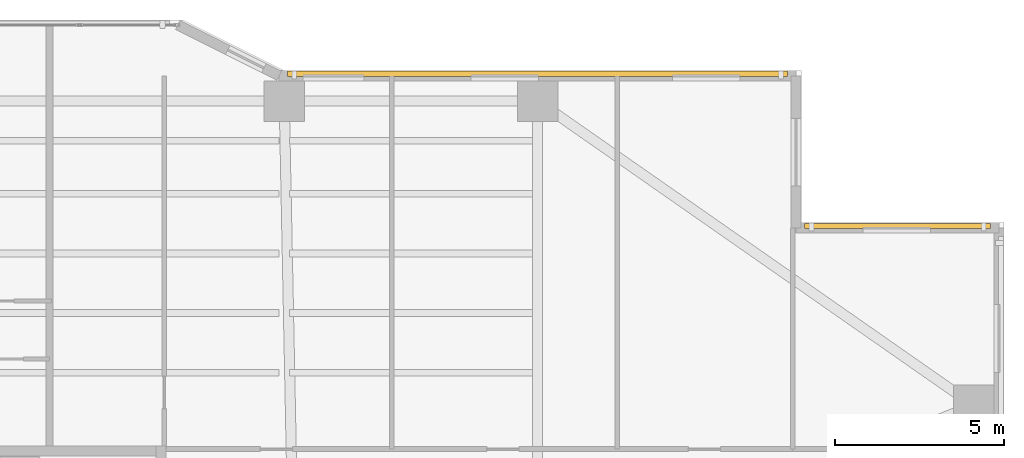
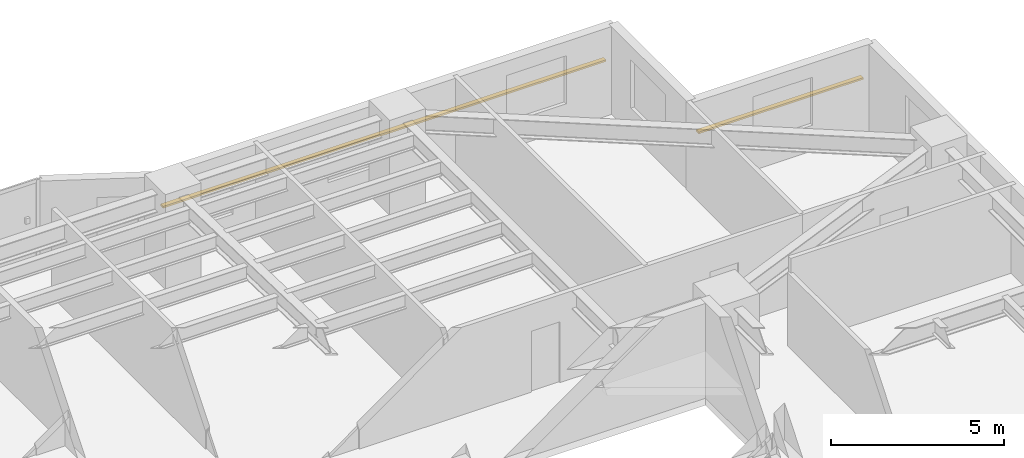
# One storey, part 21 of 21: 2 shading devices.
"""IFC4 building model written with IfcOpenShell, lengths in metres."""

from ifc_helpers import new_model, si_unit, direction, frame, origin, origin_2d, place, context, subcontext, project, spatial, rectangle, extrude, material, material_profile, profile_set, type_object, element, save


model = new_model("IFC4")

# Units and contexts
model_context = context("Model", 3, precision=1e-05, world=origin(), true_north=direction((0.0, 1.0)))
body_context = subcontext(model_context, "Body", "Model", "MODEL_VIEW")
ifc_project = project(units=[si_unit("LENGTHUNIT", "METRE"), si_unit("AREAUNIT", "SQUARE_METRE"), si_unit("VOLUMEUNIT", "CUBIC_METRE"), si_unit("PLANEANGLEUNIT", "RADIAN"), si_unit("MASSUNIT", "GRAM", prefix="KILO")], contexts=[model_context])

# Site, building, storey
site_placement = place(None, origin())
site = spatial("IfcSite", under=ifc_project, at=site_placement, CompositionType="ELEMENT")
building_placement = place(site_placement, origin())
building = spatial("IfcBuilding", under=site, at=building_placement, Name="Tarnavaz Court Tower", CompositionType="ELEMENT")
storey_placement = place(building_placement, frame((0.0, 0.0, 40.75)))
storey = spatial("IfcBuildingStorey", under=building, at=storey_placement, Name="L10", CompositionType="ELEMENT", Elevation=40.75)

# Shading devices
ifc_material = material(Name="Kiln-Fired Khorasan Terracotta Ceramic", Category="masonry")
ifc_material_profile = material_profile(ifc_material, rectangle(XDim=0.14990234375, YDim=0.06494140625, at=origin_2d()), Name="TC BAGUETTE 150X65")
ifc_profile_set = profile_set([ifc_material_profile], Name="Kiln-Fired Khorasan Terracotta Ceramic")
shading_device_type = type_object("IfcShadingDeviceType", Name="SD-BAG-150", PredefinedType="USERDEFINED", material=ifc_profile_set)
shading_device_1_placement = place(storey_placement, frame((7.60009765625, 23.610107421875, 1.85009765625), z_axis=(1.0, 0.0, 0.0), x_axis=(0.0, 1.0, 0.0)))
element("IfcShadingDevice", 1, at=shading_device_1_placement, inside=storey, type_object=shading_device_type, Name="L10 Terracotta Baguette Screen FBG09", ObjectType="BAGUETTE", PredefinedType="USERDEFINED", context=body_context, shape_type="SweptSolid", body=[
    extrude(rectangle(XDim=0.14990234375, YDim=0.06494140625, at=origin_2d()), origin(), (0.0, 0.0, 1.0), 14.7998046875),
])
shading_device_2_placement = place(storey_placement, frame((22.89990234375, 19.110107421875, 1.85009765625), z_axis=(1.0, 0.0, 0.0), x_axis=(0.0, 1.0, 0.0)))
element("IfcShadingDevice", 2, at=shading_device_2_placement, inside=storey, type_object=shading_device_type, Name="L10 Terracotta Baguette Screen FBG11", ObjectType="BAGUETTE", PredefinedType="USERDEFINED", context=body_context, shape_type="SweptSolid", body=[
    extrude(rectangle(XDim=0.14990234375, YDim=0.06494140625, at=origin_2d()), origin(), (0.0, 0.0, 1.0), 5.5),
])

save(model, "model.ifc")
